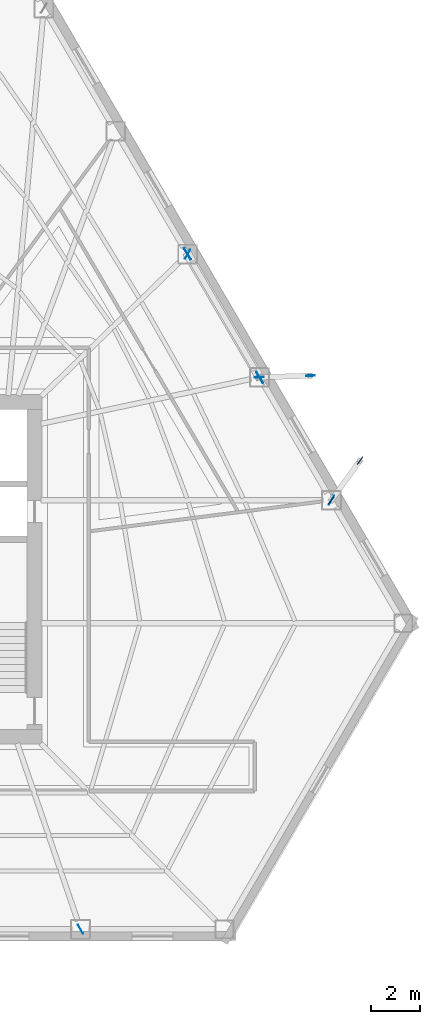
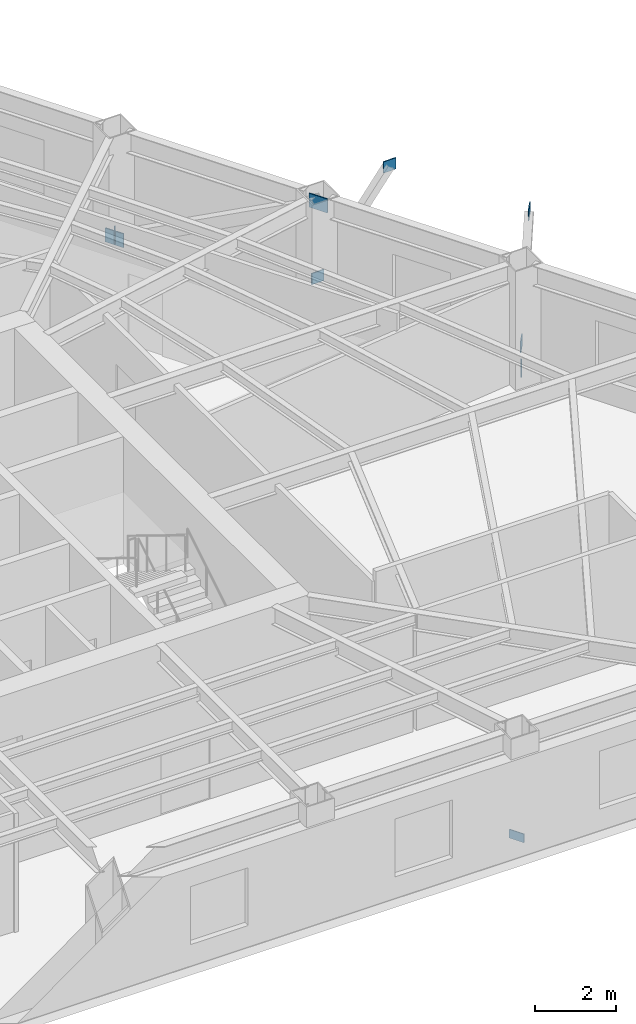
# One storey, part 5 of 13: 9 plates.
"""IFC4 building model written with IfcOpenShell, lengths in metres."""

from ifc_helpers import new_model, si_unit, direction, frame, origin, origin_2d, place, context, subcontext, project, spatial, rectangle, extrude, material, layer, layer_set, type_object, element, save


model = new_model("IFC4")

# Units and contexts
model_context = context("Model", 3, precision=1e-05, world=origin(), true_north=direction((0.0, 1.0)))
body_context = subcontext(model_context, "Body", "Model", "MODEL_VIEW")
ifc_project = project(units=[si_unit("LENGTHUNIT", "METRE"), si_unit("AREAUNIT", "SQUARE_METRE"), si_unit("VOLUMEUNIT", "CUBIC_METRE"), si_unit("PLANEANGLEUNIT", "RADIAN"), si_unit("MASSUNIT", "GRAM", prefix="KILO")], contexts=[model_context])

# Site, building, storey
site_placement = place(None, origin())
site = spatial("IfcSite", under=ifc_project, at=site_placement, CompositionType="ELEMENT")
building_placement = place(site_placement, origin())
building = spatial("IfcBuilding", under=site, at=building_placement, Name="Kavelnor Concourse Tower", CompositionType="ELEMENT")
storey_placement = place(building_placement, frame((0.0, 0.0, 59.89990234375)))
storey = spatial("IfcBuildingStorey", under=building, at=storey_placement, Name="L15", CompositionType="ELEMENT", Elevation=59.89990234375)

# Plates
ifc_material = material(Name="Steel Grade 350", Category="steel")
ifc_layer_1 = layer(ifc_material, 0.028076171875, Name="Steel Grade 350")
ifc_layer_set_1 = layer_set([ifc_layer_1], Name="Steel Grade 350")
plate_type_1 = type_object("IfcPlateType", Name="PL-GUSSET-FOLD", PredefinedType="USERDEFINED", material=ifc_layer_set_1)
for number, where, z_axis, x_axis, name in (
    (1, (59.8720703125, 18.9013671875, 0.8798828125), (0.0, 0.0, 1.0), (0.583399467156, 0.812185361677, 0.0), "L15 Balcony Strut Gusset GP4 2-A End Gusset A"),
    (2, (61.0361328125, 20.521728515625, 3.48486328125), (0.0, 0.0, 1.0), (0.583399467156, 0.812185361677, 0.0), "L15 Balcony Strut Gusset GP4 2-A End Gusset B"),
    (3, (56.94580078125, 23.9072265625, 0.8798828125), (0.0, 0.0, 1.0), (0.999565022632, 0.029491787528, 0.0), "L15 Balcony Strut Gusset GP4 2-B End Gusset A"),
    (4, (59.02783203125, 23.96875, 3.48486328125), (0.0, 0.0, 1.0), (0.999565022632, 0.029491787528, 0.0), "L15 Balcony Strut Gusset GP4 2-B End Gusset B"),
):
    element("IfcPlate", number, at=place(storey_placement, frame(where, z_axis=z_axis, x_axis=x_axis)), inside=storey, type_object=plate_type_1, Name=name, ObjectType="GUSSET_PLATE", PredefinedType="USERDEFINED", context=body_context, shape_type="SweptSolid", body=[
        extrude(rectangle(XDim=0.360107421875, YDim=0.028076171875, at=origin_2d()), origin(), (0.0, 0.0, 1.0), 0.340087890625),
    ])
ifc_layer_2 = layer(ifc_material, 0.031982421875, Name="Steel Grade 350")
ifc_layer_set_2 = layer_set([ifc_layer_2], Name="Steel Grade 350")
plate_type_2 = type_object("IfcPlateType", Name="PL-GUSSET-TUBE-Z1", PredefinedType="USERDEFINED", material=ifc_layer_set_2)
for number, where, z_axis, x_axis, name in (
    (5, (54.030517578125, 28.91455078125, 0.01025390625), (0.0, 0.0, 1.0), (0.504678307081, -0.863307480775, 0.0), "L15 Tube Brace Gusset GP3 F2-B2 End Gusset A"),
    (6, (56.964111328125, 23.897216796875, 3.07421875), (0.0, 0.0, 1.0), (0.504678307081, -0.863307480775, 0.0), "L15 Tube Brace Gusset GP3 F2-B2 End Gusset B"),
):
    element("IfcPlate", number, at=place(storey_placement, frame(where, z_axis=z_axis, x_axis=x_axis)), inside=storey, type_object=plate_type_2, Name=name, ObjectType="GUSSET_PLATE", PredefinedType="USERDEFINED", context=body_context, shape_type="SweptSolid", body=[
        extrude(rectangle(XDim=0.52001953125, YDim=0.031982421875, at=origin_2d()), origin(), (0.0, 0.0, 1.0), 0.419921875),
    ])
ifc_layer_3 = layer(ifc_material, 0.02490234375, Name="Steel Grade 350")
ifc_layer_set_3 = layer_set([ifc_layer_3], Name="Steel Grade 350")
plate_type_3 = type_object("IfcPlateType", Name="PL-SPLICE-FLANGE", PredefinedType="SHEET", material=ifc_layer_set_3)
for number, where, z_axis, x_axis, name in (
    (7, (49.68798828125, 1.482421875, 0.169921875), (0.0, 0.0, 1.0), (-0.5, 0.866025403784, 0.0), "L15 Column Flange Splice Plate F1-B5"),
    (8, (59.87890625, 18.910888671875, 0.169921875), (0.0, 0.0, 1.0), (-0.5, -0.866025403784, 0.0), "L15 Column Flange Splice Plate F2-B1"),
    (9, (54.03662109375, 28.904296875, 0.169921875), (0.0, 0.0, 1.0), (-0.5, -0.866025403784, 0.0), "L15 Column Flange Splice Plate F2-B3"),
):
    element("IfcPlate", number, at=place(storey_placement, frame(where, z_axis=z_axis, x_axis=x_axis)), inside=storey, type_object=plate_type_3, Name=name, PredefinedType="SHEET", context=body_context, shape_type="SweptSolid", body=[
        extrude(rectangle(XDim=0.419921875, YDim=0.02490234375, at=origin_2d()), origin(), (0.0, 0.0, 1.0), 0.260009765625),
    ])

save(model, "model.ifc")
